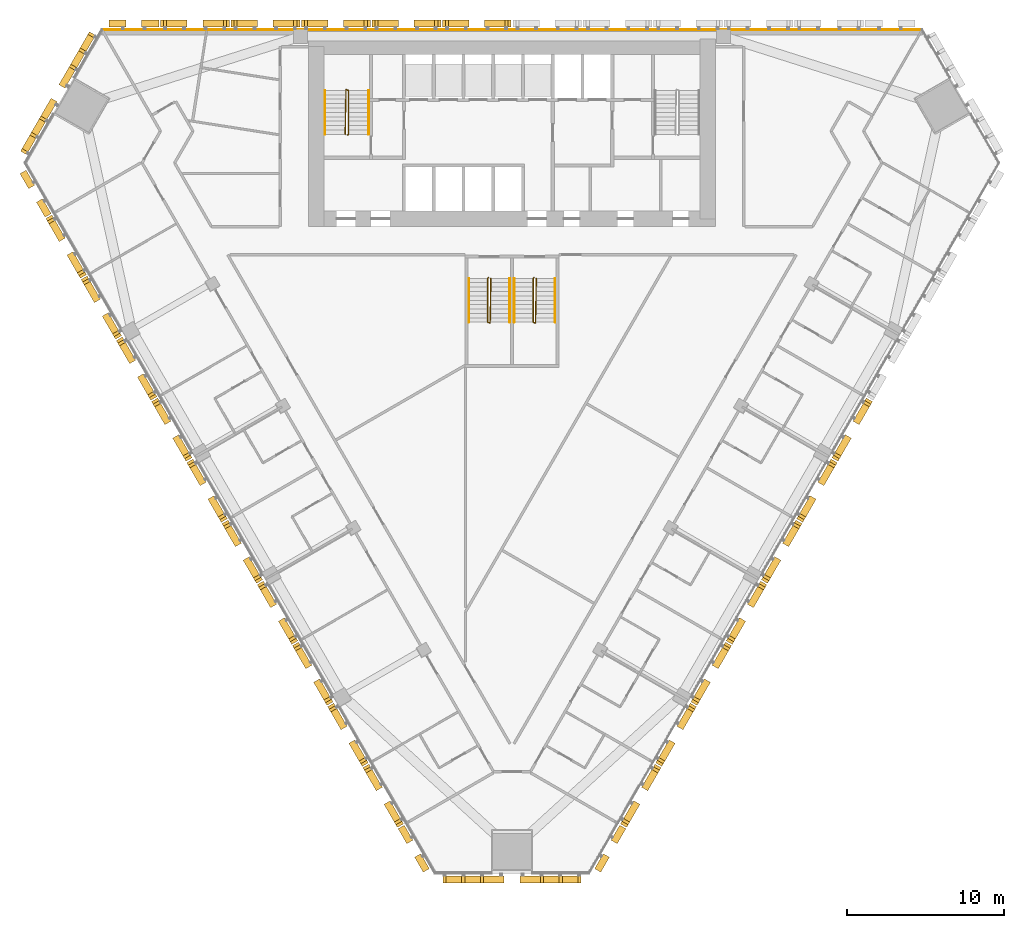
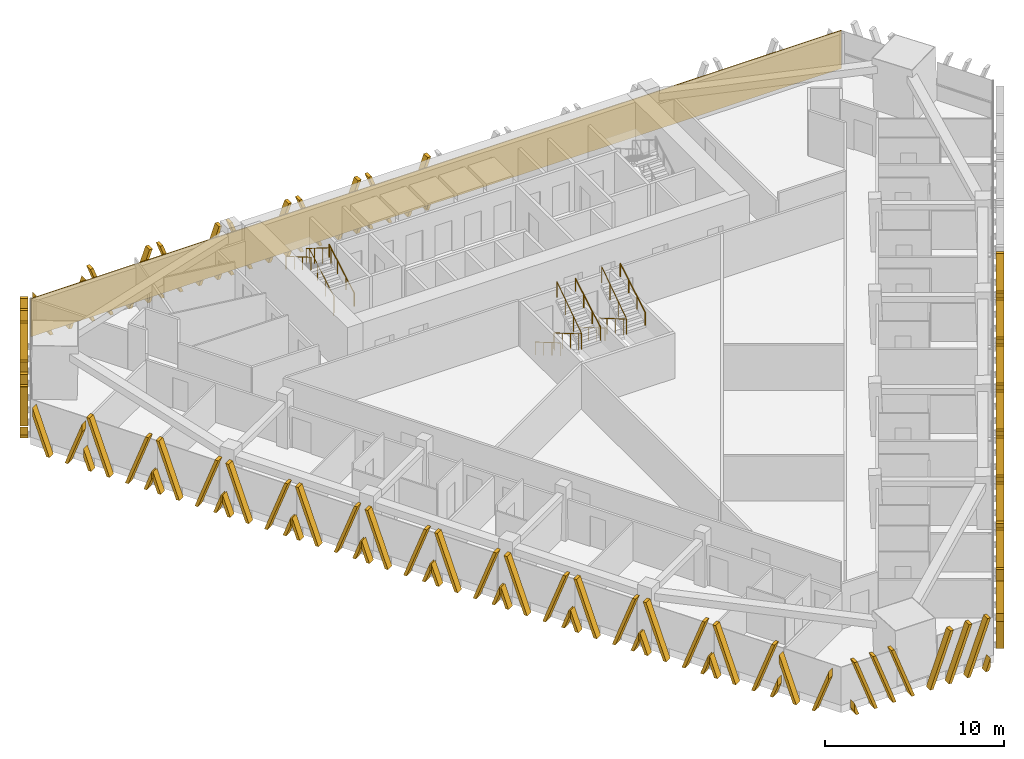
# One storey, part 16 of 18: 28 shading devices, 9 railings, 1 covering.
"""IFC4 building model written with IfcOpenShell, lengths in metres."""

from ifc_helpers import new_model, si_unit, direction, frame, frame_2d, origin, origin_2d, place, context, subcontext, project, spatial, polyline, rectangle, circle, outline, extrude, source, transform, mapped, material, layer, layer_set, type_object, element, save


model = new_model("IFC4")

# Units and contexts
model_context = context("Model", 3, precision=1e-05, world=origin(), true_north=direction((0.0, 1.0)))
body_context = subcontext(model_context, "Body", "Model", "MODEL_VIEW")
ifc_project = project(units=[si_unit("LENGTHUNIT", "METRE"), si_unit("AREAUNIT", "SQUARE_METRE"), si_unit("VOLUMEUNIT", "CUBIC_METRE"), si_unit("PLANEANGLEUNIT", "RADIAN"), si_unit("MASSUNIT", "GRAM", prefix="KILO")], contexts=[model_context])

# Site, building, storey
site_placement = place(None, origin())
site = spatial("IfcSite", under=ifc_project, at=site_placement, CompositionType="ELEMENT")
building_placement = place(site_placement, origin())
building = spatial("IfcBuilding", under=site, at=building_placement, Name="Altiplano Prism Tower", CompositionType="ELEMENT")
storey_placement = place(building_placement, frame((0.0, 0.0, 34.199951171875)))
storey = spatial("IfcBuildingStorey", under=building, at=storey_placement, Name="L07", CompositionType="ELEMENT", Elevation=34.199951171875)

# Railings
ifc_material_1 = material(Name="Steel S355", Category="steel")
railing_type_1 = type_object("IfcRailingType", Name="Stair guard 1100", PredefinedType="GUARDRAIL", material=ifc_material_1)
railing_1_placement = place(storey_placement, frame((74.5, 98.25, 0.0)))
element("IfcRailing", 1, at=railing_1_placement, inside=storey, type_object=railing_type_1, Name="L07 ST1 stair guard 1", PredefinedType="GUARDRAIL", context=body_context, shape_type="SweptSolid", body=[
    extrude(circle(Radius=0.02392578125, at=origin_2d()), frame((0.0, 0.0, 1.076171875), z_axis=(0.280808744504, 0.280808744504, 0.917765164963), x_axis=(-0.707106781187, 0.707106781187, 0.0)), (0.0, 0.0, 1.0), 0.17822265625),
    extrude(circle(Radius=0.02392578125, at=origin_2d()), frame((0.050048828125, 0.050048828125, 1.23974609375), z_axis=(0.0, 0.863360870873, 0.504586966384), x_axis=(-1.0, 0.0, 0.0)), (0.0, 0.0, 1.0), 3.2431640625),
    extrude(circle(Radius=0.02392578125, at=origin_2d()), frame((0.050048828125, 2.85009765625, 2.8759765625), z_axis=(-0.949145278916, 0.314838433982, 0.0), x_axis=(-0.314838433982, -0.949145278916, 0.0)), (0.0, 0.0, 1.0), 0.158203125),
    extrude(circle(Radius=0.02392578125, at=origin_2d()), frame((-0.10009765625, 2.89990234375, 2.8759765625), z_axis=(-0.01477401265, -0.845377694409, 0.533964682676), x_axis=(0.999847325713, -0.01747355902, 0.0)), (0.0, 0.0, 1.0), 3.37109375),
    extrude(circle(Radius=0.02099609375, at=origin_2d()), origin(), (0.0, 0.0, 1.0), 1.052001953125),
    extrude(circle(Radius=0.02099609375, at=origin_2d()), frame((0.050048828125, 0.050048828125, 0.16357421875)), (0.0, 0.0, 1.0), 1.052001953125),
    extrude(circle(Radius=0.02099609375, at=origin_2d()), frame((0.050048828125, 0.9833984375, 0.708984375)), (0.0, 0.0, 1.0), 1.052001953125),
    extrude(circle(Radius=0.02099609375, at=origin_2d()), frame((0.050048828125, 1.916748046875, 1.254638671875)), (0.0, 0.0, 1.0), 1.052001953125),
    extrude(circle(Radius=0.02099609375, at=origin_2d()), frame((0.050048828125, 2.85009765625, 1.800048828125)), (0.0, 0.0, 1.0), 1.052001953125),
    extrude(circle(Radius=0.02099609375, at=origin_2d()), frame((-0.10009765625, 2.89990234375, 1.800048828125)), (0.0, 0.0, 1.0), 1.052001953125),
    extrude(circle(Radius=0.02099609375, at=origin_2d()), frame((-0.11669921875, 1.949951171875, 2.400146484375)), (0.0, 0.0, 1.0), 1.052001953125),
    extrude(circle(Radius=0.02099609375, at=origin_2d()), frame((-0.13330078125, 1.0, 3.0)), (0.0, 0.0, 1.0), 1.052001953125),
    extrude(circle(Radius=0.02099609375, at=origin_2d()), frame((-0.14990234375, 0.050048828125, 3.60009765625)), (0.0, 0.0, 1.0), 1.052001953125),
])
railing_2_placement = place(storey_placement, frame((83.5, 89.14990234375, 0.0)))
element("IfcRailing", 2, at=railing_2_placement, inside=storey, type_object=railing_type_1, Name="L07 ST3A stair guard 1", PredefinedType="GUARDRAIL", context=body_context, shape_type="SweptSolid", body=[
    extrude(circle(Radius=0.02392578125, at=origin_2d()), frame((0.0, 0.0, 1.076171875), z_axis=(-0.280916556609, -0.279546231943, 0.91811752648), x_axis=(0.705375805398, -0.708833529934, 0.0)), (0.0, 0.0, 1.0), 0.17822265625),
    extrude(circle(Radius=0.02392578125, at=origin_2d()), frame((-0.050048828125, -0.0498046875, 1.23974609375), z_axis=(0.0, -0.863360870873, 0.504586966384), x_axis=(1.0, 0.0, 0.0)), (0.0, 0.0, 1.0), 3.2431640625),
    extrude(circle(Radius=0.02392578125, at=origin_2d()), frame((-0.050048828125, -2.849853515625, 2.8759765625), z_axis=(0.948683298051, -0.316227766017, 0.0), x_axis=(0.316227766017, 0.948683298051, 0.0)), (0.0, 0.0, 1.0), 0.158203125),
    extrude(circle(Radius=0.02392578125, at=origin_2d()), frame((0.10009765625, -2.89990234375, 2.8759765625), z_axis=(0.014773108175, 0.84539835705, 0.533931993021), x_axis=(-0.999847351862, 0.017472062685, 0.0)), (0.0, 0.0, 1.0), 3.371337890625),
    extrude(circle(Radius=0.02099609375, at=origin_2d()), origin(), (0.0, 0.0, 1.0), 1.052001953125),
    extrude(circle(Radius=0.02099609375, at=origin_2d()), frame((-0.050048828125, -0.0498046875, 0.16357421875)), (0.0, 0.0, 1.0), 1.052001953125),
    extrude(circle(Radius=0.02099609375, at=origin_2d()), frame((-0.050048828125, -0.983154296875, 0.708984375)), (0.0, 0.0, 1.0), 1.052001953125),
    extrude(circle(Radius=0.02099609375, at=origin_2d()), frame((-0.050048828125, -1.91650390625, 1.254638671875)), (0.0, 0.0, 1.0), 1.052001953125),
    extrude(circle(Radius=0.02099609375, at=origin_2d()), frame((-0.050048828125, -2.849853515625, 1.800048828125)), (0.0, 0.0, 1.0), 1.052001953125),
    extrude(circle(Radius=0.02099609375, at=origin_2d()), frame((0.10009765625, -2.89990234375, 1.800048828125)), (0.0, 0.0, 1.0), 1.052001953125),
    extrude(circle(Radius=0.02099609375, at=origin_2d()), frame((0.11669921875, -1.949951171875, 2.400146484375)), (0.0, 0.0, 1.0), 1.052001953125),
    extrude(circle(Radius=0.02099609375, at=origin_2d()), frame((0.13330078125, -0.999755859375, 3.0)), (0.0, 0.0, 1.0), 1.052001953125),
    extrude(circle(Radius=0.02099609375, at=origin_2d()), frame((0.14990234375, -0.0498046875, 3.60009765625)), (0.0, 0.0, 1.0), 1.052001953125),
])
railing_3_placement = place(storey_placement, frame((86.39990234375, 89.14990234375, 0.0)))
element("IfcRailing", 3, at=railing_3_placement, inside=storey, type_object=railing_type_1, Name="L07 ST3B stair guard 1", PredefinedType="GUARDRAIL", context=body_context, shape_type="SweptSolid", body=[
    extrude(circle(Radius=0.02392578125, at=origin_2d()), frame((0.0, 0.0, 1.076171875), z_axis=(-0.279653641804, -0.279653641804, 0.918470294159), x_axis=(0.707106781187, -0.707106781187, 0.0)), (0.0, 0.0, 1.0), 0.177978515625),
    extrude(circle(Radius=0.02392578125, at=origin_2d()), frame((-0.0498046875, -0.0498046875, 1.23974609375), z_axis=(0.0, -0.863360870873, 0.504586966384), x_axis=(1.0, 0.0, 0.0)), (0.0, 0.0, 1.0), 3.2431640625),
    extrude(circle(Radius=0.02392578125, at=origin_2d()), frame((-0.0498046875, -2.849853515625, 2.8759765625), z_axis=(0.948528701346, -0.316691178788, 0.0), x_axis=(0.316691178788, 0.948528701346, 0.0)), (0.0, 0.0, 1.0), 0.157958984375),
    extrude(circle(Radius=0.02392578125, at=origin_2d()), frame((0.10009765625, -2.89990234375, 2.8759765625), z_axis=(0.014845509451, 0.845397450405, 0.533931420407), x_axis=(-0.999845851991, 0.017557683712, 0.0)), (0.0, 0.0, 1.0), 3.371337890625),
    extrude(circle(Radius=0.02099609375, at=origin_2d()), origin(), (0.0, 0.0, 1.0), 1.052001953125),
    extrude(circle(Radius=0.02099609375, at=origin_2d()), frame((-0.0498046875, -0.0498046875, 0.16357421875)), (0.0, 0.0, 1.0), 1.052001953125),
    extrude(circle(Radius=0.02099609375, at=origin_2d()), frame((-0.0498046875, -0.983154296875, 0.708984375)), (0.0, 0.0, 1.0), 1.052001953125),
    extrude(circle(Radius=0.02099609375, at=origin_2d()), frame((-0.0498046875, -1.91650390625, 1.254638671875)), (0.0, 0.0, 1.0), 1.052001953125),
    extrude(circle(Radius=0.02099609375, at=origin_2d()), frame((-0.0498046875, -2.849853515625, 1.800048828125)), (0.0, 0.0, 1.0), 1.052001953125),
    extrude(circle(Radius=0.02099609375, at=origin_2d()), frame((0.10009765625, -2.89990234375, 1.800048828125)), (0.0, 0.0, 1.0), 1.052001953125),
    extrude(circle(Radius=0.02099609375, at=origin_2d()), frame((0.11669921875, -1.949951171875, 2.400146484375)), (0.0, 0.0, 1.0), 1.052001953125),
    extrude(circle(Radius=0.02099609375, at=origin_2d()), frame((0.133544921875, -0.999755859375, 3.0)), (0.0, 0.0, 1.0), 1.052001953125),
    extrude(circle(Radius=0.02099609375, at=origin_2d()), frame((0.150146484375, -0.0498046875, 3.60009765625)), (0.0, 0.0, 1.0), 1.052001953125),
])
railing_type_2 = type_object("IfcRailingType", Name="Stair handrail 900", PredefinedType="HANDRAIL", material=ifc_material_1)
railing_4_placement = place(storey_placement, frame((75.85009765625, 98.300048828125, 0.16357421875)))
element("IfcRailing", 4, at=railing_4_placement, inside=storey, type_object=railing_type_2, Name="L07 ST1 stair handrail 1", PredefinedType="HANDRAIL", context=body_context, shape_type="SweptSolid", body=[
    extrude(circle(Radius=0.02392578125, at=origin_2d()), frame((0.0, 0.0, 0.8759765625), z_axis=(0.0, 0.863360870873, 0.504586966384), x_axis=(-1.0, 0.0, 0.0)), (0.0, 0.0, 1.0), 3.2431640625),
    extrude(circle(Radius=0.02099609375, at=origin_2d()), origin(), (0.0, 0.0, 1.0), 0.851806640625),
    extrude(circle(Radius=0.02099609375, at=origin_2d()), frame((0.0, 0.933349609375, 0.54541015625)), (0.0, 0.0, 1.0), 0.851806640625),
    extrude(circle(Radius=0.02099609375, at=origin_2d()), frame((0.0, 1.86669921875, 1.091064453125)), (0.0, 0.0, 1.0), 0.851806640625),
    extrude(circle(Radius=0.02099609375, at=origin_2d()), frame((0.0, 2.800048828125, 1.636474609375)), (0.0, 0.0, 1.0), 0.851806640625),
])
for number, where, name in (
    (5, (73.050048828125, 101.10009765625, 1.963623046875), "L07 ST1 stair handrail 2"),
    (6, (82.25, 89.10009765625, 0.16357421875), "L07 ST3A stair handrail 1"),
):
    element("IfcRailing", number, at=place(storey_placement, frame(where)), inside=storey, type_object=railing_type_2, Name=name, PredefinedType="HANDRAIL", context=body_context, shape_type="SweptSolid", body=[
        extrude(circle(Radius=0.02392578125, at=origin_2d()), frame((0.0, 0.0, 0.8759765625), z_axis=(0.0, -0.863360870873, 0.504586966384), x_axis=(1.0, 0.0, 0.0)), (0.0, 0.0, 1.0), 3.2431640625),
        extrude(circle(Radius=0.02099609375, at=origin_2d()), origin(), (0.0, 0.0, 1.0), 0.851806640625),
        extrude(circle(Radius=0.02099609375, at=origin_2d()), frame((0.0, -0.933349609375, 0.54541015625)), (0.0, 0.0, 1.0), 0.851806640625),
        extrude(circle(Radius=0.02099609375, at=origin_2d()), frame((0.0, -1.86669921875, 1.091064453125)), (0.0, 0.0, 1.0), 0.851806640625),
        extrude(circle(Radius=0.02099609375, at=origin_2d()), frame((0.0, -2.800048828125, 1.636474609375)), (0.0, 0.0, 1.0), 0.851806640625),
    ])
railing_5_placement = place(storey_placement, frame((84.85009765625, 86.300048828125, 1.963623046875)))
element("IfcRailing", 7, at=railing_5_placement, inside=storey, type_object=railing_type_2, Name="L07 ST3A stair handrail 2", PredefinedType="HANDRAIL", context=body_context, shape_type="SweptSolid", body=[
    extrude(circle(Radius=0.02392578125, at=origin_2d()), frame((0.0, 0.0, 0.8759765625), z_axis=(0.0, 0.863360870873, 0.504586966384), x_axis=(-1.0, 0.0, 0.0)), (0.0, 0.0, 1.0), 3.2431640625),
    extrude(circle(Radius=0.02099609375, at=origin_2d()), origin(), (0.0, 0.0, 1.0), 0.851806640625),
    extrude(circle(Radius=0.02099609375, at=origin_2d()), frame((0.0, 0.933349609375, 0.54541015625)), (0.0, 0.0, 1.0), 0.851806640625),
    extrude(circle(Radius=0.02099609375, at=origin_2d()), frame((0.0, 1.86669921875, 1.091064453125)), (0.0, 0.0, 1.0), 0.851806640625),
    extrude(circle(Radius=0.02099609375, at=origin_2d()), frame((0.0, 2.800048828125, 1.636474609375)), (0.0, 0.0, 1.0), 0.851806640625),
])
railing_6_placement = place(storey_placement, frame((85.14990234375, 89.10009765625, 0.16357421875)))
element("IfcRailing", 8, at=railing_6_placement, inside=storey, type_object=railing_type_2, Name="L07 ST3B stair handrail 1", PredefinedType="HANDRAIL", context=body_context, shape_type="SweptSolid", body=[
    extrude(circle(Radius=0.02392578125, at=origin_2d()), frame((0.0, 0.0, 0.8759765625), z_axis=(0.0, -0.863360870873, 0.504586966384), x_axis=(1.0, 0.0, 0.0)), (0.0, 0.0, 1.0), 3.2431640625),
    extrude(circle(Radius=0.02099609375, at=origin_2d()), origin(), (0.0, 0.0, 1.0), 0.851806640625),
    extrude(circle(Radius=0.02099609375, at=origin_2d()), frame((0.0, -0.933349609375, 0.54541015625)), (0.0, 0.0, 1.0), 0.851806640625),
    extrude(circle(Radius=0.02099609375, at=origin_2d()), frame((0.0, -1.86669921875, 1.091064453125)), (0.0, 0.0, 1.0), 0.851806640625),
    extrude(circle(Radius=0.02099609375, at=origin_2d()), frame((0.0, -2.800048828125, 1.636474609375)), (0.0, 0.0, 1.0), 0.851806640625),
])
railing_7_placement = place(storey_placement, frame((87.75, 86.300048828125, 1.963623046875)))
element("IfcRailing", 9, at=railing_7_placement, inside=storey, type_object=railing_type_2, Name="L07 ST3B stair handrail 2", PredefinedType="HANDRAIL", context=body_context, shape_type="SweptSolid", body=[
    extrude(circle(Radius=0.02392578125, at=origin_2d()), frame((0.0, 0.0, 0.8759765625), z_axis=(0.0, 0.863360870873, 0.504586966384), x_axis=(-1.0, 0.0, 0.0)), (0.0, 0.0, 1.0), 3.2431640625),
    extrude(circle(Radius=0.02099609375, at=origin_2d()), origin(), (0.0, 0.0, 1.0), 0.851806640625),
    extrude(circle(Radius=0.02099609375, at=origin_2d()), frame((0.0, 0.933349609375, 0.54541015625)), (0.0, 0.0, 1.0), 0.851806640625),
    extrude(circle(Radius=0.02099609375, at=origin_2d()), frame((0.0, 1.86669921875, 1.091064453125)), (0.0, 0.0, 1.0), 0.851806640625),
    extrude(circle(Radius=0.02099609375, at=origin_2d()), frame((0.0, 2.800048828125, 1.636474609375)), (0.0, 0.0, 1.0), 0.851806640625),
])

# Covering
ifc_material_2 = material(Name="Warm limestone cast stone", Category="masonry")
ifc_layer = layer(ifc_material_2, 0.06005859375)
ifc_layer_set = layer_set([ifc_layer], Name="Warm limestone cast stone")
covering_type = type_object("IfcCoveringType", Name="Stone cladding 60", PredefinedType="CLADDING", material=ifc_layer_set)
covering_placement = place(storey_placement, frame((58.79296875, 104.969970703125, 0.0), z_axis=(0.0, 0.0, 1.0), x_axis=(1.0, 0.0, 0.0)))
element("IfcCovering", 10, at=covering_placement, inside=storey, type_object=covering_type, Name="Stone cladding north face L07", PredefinedType="CLADDING", context=body_context, shape_type="SweptSolid", body=[
    extrude(rectangle(XDim=52.4140625, YDim=0.06005859375, at=frame_2d((26.20703125, 0.0))), origin(), (0.0, 0.0, 1.0), 2.60009765625),
])

# Shading devices
shading_device_type_1 = type_object("IfcShadingDeviceType", Name="Stone fin panel, narrow closing bay", PredefinedType="USERDEFINED", material=ifc_material_2)
shared_shape_1 = source(origin(), body_context, "Body", "SweptSolid", [
    extrude(outline(polyline([(-1.60009765625, 3.022216796875), (-1.60009765625, 2.47265625), (-0.699951171875, 0.0), (-0.5, 0.0), (-1.60009765625, 3.022216796875)])), frame((0.0, -0.14990234375, 0.0), z_axis=(0.0, -1.0, 0.0), x_axis=(1.0, 0.0, 0.0)), (0.0, 0.0, 1.0), 0.4501953125),
    extrude(outline(polyline([(1.60009765625, 2.47265625), (1.60009765625, 3.022216796875), (0.5, 0.0), (0.699951171875, 0.0), (1.60009765625, 2.47265625)])), frame((0.0, -0.14990234375, 0.0), z_axis=(0.0, -1.0, 0.0), x_axis=(1.0, 0.0, 0.0)), (0.0, 0.0, 1.0), 0.4501953125),
])
shading_device_1_placement = place(storey_placement, origin())
element("IfcShadingDevice", 11, at=shading_device_1_placement, inside=storey, type_object=shading_device_type_1, Name="Fin L07 north face 12", ObjectType="FIN", PredefinedType="USERDEFINED", context=body_context, shape_type="MappedRepresentation", body=[
    mapped(shared_shape_1, transform((60.846435546875, 105.0, -0.5), x_axis=(-1.0, 0.0, 0.0), y_axis=(0.0, -1.0, 0.0), z_axis=(0.0, 0.0, 1.0))),
])
shading_device_2_placement = place(storey_placement, origin())
element("IfcShadingDevice", 12, at=shading_device_2_placement, inside=storey, type_object=shading_device_type_1, Name="Fin L07 south-west face 1", ObjectType="FIN", PredefinedType="USERDEFINED", context=body_context, shape_type="MappedRepresentation", body=[
    mapped(shared_shape_1, transform((54.896728515625, 94.694580078125, -0.5), x_axis=(0.499999989059, -0.866025410101, 0.0), y_axis=(0.866025410101, 0.499999989059, 0.0), z_axis=(0.0, 0.0, 1.0))),
])
shading_device_3_placement = place(storey_placement, origin())
element("IfcShadingDevice", 13, at=shading_device_3_placement, inside=storey, type_object=shading_device_type_1, Name="Fin L07 south-west face 12", ObjectType="FIN", PredefinedType="USERDEFINED", context=body_context, shape_type="MappedRepresentation", body=[
    mapped(shared_shape_1, transform((79.05029296875, 52.859619140625, -0.5), x_axis=(0.499999989059, -0.866025410101, 0.0), y_axis=(0.866025410101, 0.499999989059, 0.0), z_axis=(0.0, 0.0, 1.0))),
])
shading_device_4_placement = place(storey_placement, origin())
element("IfcShadingDevice", 14, at=shading_device_4_placement, inside=storey, type_object=shading_device_type_1, Name="Fin L07 south-east face 1", ObjectType="FIN", PredefinedType="USERDEFINED", context=body_context, shape_type="MappedRepresentation", body=[
    mapped(shared_shape_1, transform((90.94970703125, 52.859619140625, -0.5), x_axis=(0.499999989059, 0.866025410101, 0.0), y_axis=(-0.866025410101, 0.499999989059, 0.0), z_axis=(0.0, 0.0, 1.0))),
])
shading_device_type_2 = type_object("IfcShadingDeviceType", Name="Stone fin panel, standard unit", PredefinedType="USERDEFINED", material=ifc_material_2)
shared_shape_2 = source(origin(), body_context, "Body", "SweptSolid", [
    extrude(outline(polyline([(-2.199951171875, 1.373779296875), (-2.199951171875, 0.82421875), (-1.89990234375, 0.0), (-1.699951171875, 0.0), (-2.199951171875, 1.373779296875)])), frame((0.0, -0.14990234375, 0.0), z_axis=(0.0, -1.0, 0.0), x_axis=(1.0, 0.0, 0.0)), (0.0, 0.0, 1.0), 0.4501953125),
    extrude(outline(polyline([(-2.01025390625, 3.60009765625), (-0.699951171875, 0.0), (-0.5, 0.0), (-1.810302734375, 3.60009765625), (-2.01025390625, 3.60009765625)])), frame((0.0, -0.14990234375, 0.0), z_axis=(0.0, -1.0, 0.0), x_axis=(1.0, 0.0, 0.0)), (0.0, 0.0, 1.0), 0.4501953125),
    extrude(outline(polyline([(1.810302734375, 3.60009765625), (0.5, 0.0), (0.699951171875, 0.0), (2.01025390625, 3.60009765625), (1.810302734375, 3.60009765625)])), frame((0.0, -0.14990234375, 0.0), z_axis=(0.0, -1.0, 0.0), x_axis=(1.0, 0.0, 0.0)), (0.0, 0.0, 1.0), 0.4501953125),
    extrude(outline(polyline([(2.199951171875, 0.82421875), (2.199951171875, 1.373779296875), (1.699951171875, 0.0), (1.89990234375, 0.0), (2.199951171875, 0.82421875)])), frame((0.0, -0.14990234375, 0.0), z_axis=(0.0, -1.0, 0.0), x_axis=(1.0, 0.0, 0.0)), (0.0, 0.0, 1.0), 0.4501953125),
])
shading_device_5_placement = place(storey_placement, origin())
element("IfcShadingDevice", 15, at=shading_device_5_placement, inside=storey, type_object=shading_device_type_2, Name="Fin L07 north face 7", ObjectType="FIN", PredefinedType="USERDEFINED", context=body_context, shape_type="MappedRepresentation", body=[
    mapped(shared_shape_2, transform((82.75, 105.0, -0.5), x_axis=(-1.0, 0.0, 0.0), y_axis=(0.0, -1.0, 0.0), z_axis=(0.0, 0.0, 1.0))),
])
shading_device_6_placement = place(storey_placement, origin())
element("IfcShadingDevice", 16, at=shading_device_6_placement, inside=storey, type_object=shading_device_type_2, Name="Fin L07 north face 8", ObjectType="FIN", PredefinedType="USERDEFINED", context=body_context, shape_type="MappedRepresentation", body=[
    mapped(shared_shape_2, transform((78.25, 105.0, -0.5), x_axis=(-1.0, 0.0, 0.0), y_axis=(0.0, -1.0, 0.0), z_axis=(0.0, 0.0, 1.0))),
])
shading_device_7_placement = place(storey_placement, origin())
element("IfcShadingDevice", 17, at=shading_device_7_placement, inside=storey, type_object=shading_device_type_2, Name="Fin L07 north face 9", ObjectType="FIN", PredefinedType="USERDEFINED", context=body_context, shape_type="MappedRepresentation", body=[
    mapped(shared_shape_2, transform((73.75, 105.0, -0.5), x_axis=(-1.0, 0.0, 0.0), y_axis=(0.0, -1.0, 0.0), z_axis=(0.0, 0.0, 1.0))),
])
shading_device_8_placement = place(storey_placement, origin())
element("IfcShadingDevice", 18, at=shading_device_8_placement, inside=storey, type_object=shading_device_type_2, Name="Fin L07 north face 10", ObjectType="FIN", PredefinedType="USERDEFINED", context=body_context, shape_type="MappedRepresentation", body=[
    mapped(shared_shape_2, transform((69.25, 105.0, -0.5), x_axis=(-1.0, 0.0, 0.0), y_axis=(0.0, -1.0, 0.0), z_axis=(0.0, 0.0, 1.0))),
])
shading_device_9_placement = place(storey_placement, origin())
element("IfcShadingDevice", 19, at=shading_device_9_placement, inside=storey, type_object=shading_device_type_2, Name="Fin L07 north face 11", ObjectType="FIN", PredefinedType="USERDEFINED", context=body_context, shape_type="MappedRepresentation", body=[
    mapped(shared_shape_2, transform((64.75, 105.0, -0.5), x_axis=(-1.0, 0.0, 0.0), y_axis=(0.0, -1.0, 0.0), z_axis=(0.0, 0.0, 1.0))),
])
shading_device_10_placement = place(storey_placement, origin())
element("IfcShadingDevice", 20, at=shading_device_10_placement, inside=storey, type_object=shading_device_type_2, Name="Fin L07 south-west face 2", ObjectType="FIN", PredefinedType="USERDEFINED", context=body_context, shape_type="MappedRepresentation", body=[
    mapped(shared_shape_2, transform((56.848388671875, 91.314208984375, -0.5), x_axis=(0.499999989059, -0.866025410101, 0.0), y_axis=(0.866025410101, 0.499999989059, 0.0), z_axis=(0.0, 0.0, 1.0))),
])
shading_device_11_placement = place(storey_placement, origin())
element("IfcShadingDevice", 21, at=shading_device_11_placement, inside=storey, type_object=shading_device_type_2, Name="Fin L07 south-west face 3", ObjectType="FIN", PredefinedType="USERDEFINED", context=body_context, shape_type="MappedRepresentation", body=[
    mapped(shared_shape_2, transform((59.098388671875, 87.4169921875, -0.5), x_axis=(0.499999989059, -0.866025410101, 0.0), y_axis=(0.866025410101, 0.499999989059, 0.0), z_axis=(0.0, 0.0, 1.0))),
])
shading_device_12_placement = place(storey_placement, origin())
element("IfcShadingDevice", 22, at=shading_device_12_placement, inside=storey, type_object=shading_device_type_2, Name="Fin L07 south-west face 4", ObjectType="FIN", PredefinedType="USERDEFINED", context=body_context, shape_type="MappedRepresentation", body=[
    mapped(shared_shape_2, transform((61.348388671875, 83.519775390625, -0.5), x_axis=(0.499999989059, -0.866025410101, 0.0), y_axis=(0.866025410101, 0.499999989059, 0.0), z_axis=(0.0, 0.0, 1.0))),
])
shading_device_13_placement = place(storey_placement, origin())
element("IfcShadingDevice", 23, at=shading_device_13_placement, inside=storey, type_object=shading_device_type_2, Name="Fin L07 south-west face 5", ObjectType="FIN", PredefinedType="USERDEFINED", context=body_context, shape_type="MappedRepresentation", body=[
    mapped(shared_shape_2, transform((63.598388671875, 79.622802734375, -0.5), x_axis=(0.499999989059, -0.866025410101, 0.0), y_axis=(0.866025410101, 0.499999989059, 0.0), z_axis=(0.0, 0.0, 1.0))),
])
shading_device_14_placement = place(storey_placement, origin())
element("IfcShadingDevice", 24, at=shading_device_14_placement, inside=storey, type_object=shading_device_type_2, Name="Fin L07 south-west face 6", ObjectType="FIN", PredefinedType="USERDEFINED", context=body_context, shape_type="MappedRepresentation", body=[
    mapped(shared_shape_2, transform((65.848388671875, 75.7255859375, -0.5), x_axis=(0.499999989059, -0.866025410101, 0.0), y_axis=(0.866025410101, 0.499999989059, 0.0), z_axis=(0.0, 0.0, 1.0))),
])
shading_device_15_placement = place(storey_placement, origin())
element("IfcShadingDevice", 25, at=shading_device_15_placement, inside=storey, type_object=shading_device_type_2, Name="Fin L07 south-west face 7", ObjectType="FIN", PredefinedType="USERDEFINED", context=body_context, shape_type="MappedRepresentation", body=[
    mapped(shared_shape_2, transform((68.098388671875, 71.82861328125, -0.5), x_axis=(0.499999989059, -0.866025410101, 0.0), y_axis=(0.866025410101, 0.499999989059, 0.0), z_axis=(0.0, 0.0, 1.0))),
])
shading_device_16_placement = place(storey_placement, origin())
element("IfcShadingDevice", 26, at=shading_device_16_placement, inside=storey, type_object=shading_device_type_2, Name="Fin L07 south-west face 8", ObjectType="FIN", PredefinedType="USERDEFINED", context=body_context, shape_type="MappedRepresentation", body=[
    mapped(shared_shape_2, transform((70.348388671875, 67.931396484375, -0.5), x_axis=(0.499999989059, -0.866025410101, 0.0), y_axis=(0.866025410101, 0.499999989059, 0.0), z_axis=(0.0, 0.0, 1.0))),
])
shading_device_17_placement = place(storey_placement, origin())
element("IfcShadingDevice", 27, at=shading_device_17_placement, inside=storey, type_object=shading_device_type_2, Name="Fin L07 south-west face 9", ObjectType="FIN", PredefinedType="USERDEFINED", context=body_context, shape_type="MappedRepresentation", body=[
    mapped(shared_shape_2, transform((72.598388671875, 64.034423828125, -0.5), x_axis=(0.499999989059, -0.866025410101, 0.0), y_axis=(0.866025410101, 0.499999989059, 0.0), z_axis=(0.0, 0.0, 1.0))),
])
shading_device_18_placement = place(storey_placement, origin())
element("IfcShadingDevice", 28, at=shading_device_18_placement, inside=storey, type_object=shading_device_type_2, Name="Fin L07 south-west face 10", ObjectType="FIN", PredefinedType="USERDEFINED", context=body_context, shape_type="MappedRepresentation", body=[
    mapped(shared_shape_2, transform((74.848388671875, 60.13720703125, -0.5), x_axis=(0.499999989059, -0.866025410101, 0.0), y_axis=(0.866025410101, 0.499999989059, 0.0), z_axis=(0.0, 0.0, 1.0))),
])
shading_device_19_placement = place(storey_placement, origin())
element("IfcShadingDevice", 29, at=shading_device_19_placement, inside=storey, type_object=shading_device_type_2, Name="Fin L07 south-west face 11", ObjectType="FIN", PredefinedType="USERDEFINED", context=body_context, shape_type="MappedRepresentation", body=[
    mapped(shared_shape_2, transform((77.098388671875, 56.239990234375, -0.5), x_axis=(0.499999989059, -0.866025410101, 0.0), y_axis=(0.866025410101, 0.499999989059, 0.0), z_axis=(0.0, 0.0, 1.0))),
])
shading_device_20_placement = place(storey_placement, origin())
element("IfcShadingDevice", 30, at=shading_device_20_placement, inside=storey, type_object=shading_device_type_2, Name="Fin L07 south-east face 2", ObjectType="FIN", PredefinedType="USERDEFINED", context=body_context, shape_type="MappedRepresentation", body=[
    mapped(shared_shape_2, transform((92.901611328125, 56.239990234375, -0.5), x_axis=(0.499999989059, 0.866025410101, 0.0), y_axis=(-0.866025410101, 0.499999989059, 0.0), z_axis=(0.0, 0.0, 1.0))),
])
shading_device_21_placement = place(storey_placement, origin())
element("IfcShadingDevice", 31, at=shading_device_21_placement, inside=storey, type_object=shading_device_type_2, Name="Fin L07 south-east face 3", ObjectType="FIN", PredefinedType="USERDEFINED", context=body_context, shape_type="MappedRepresentation", body=[
    mapped(shared_shape_2, transform((95.151611328125, 60.13720703125, -0.5), x_axis=(0.499999989059, 0.866025410101, 0.0), y_axis=(-0.866025410101, 0.499999989059, 0.0), z_axis=(0.0, 0.0, 1.0))),
])
shading_device_22_placement = place(storey_placement, origin())
element("IfcShadingDevice", 32, at=shading_device_22_placement, inside=storey, type_object=shading_device_type_2, Name="Fin L07 south-east face 4", ObjectType="FIN", PredefinedType="USERDEFINED", context=body_context, shape_type="MappedRepresentation", body=[
    mapped(shared_shape_2, transform((97.401611328125, 64.034423828125, -0.5), x_axis=(0.499999989059, 0.866025410101, 0.0), y_axis=(-0.866025410101, 0.499999989059, 0.0), z_axis=(0.0, 0.0, 1.0))),
])
shading_device_23_placement = place(storey_placement, origin())
element("IfcShadingDevice", 33, at=shading_device_23_placement, inside=storey, type_object=shading_device_type_2, Name="Fin L07 south-east face 5", ObjectType="FIN", PredefinedType="USERDEFINED", context=body_context, shape_type="MappedRepresentation", body=[
    mapped(shared_shape_2, transform((99.651611328125, 67.931396484375, -0.5), x_axis=(0.499999989059, 0.866025410101, 0.0), y_axis=(-0.866025410101, 0.499999989059, 0.0), z_axis=(0.0, 0.0, 1.0))),
])
shading_device_24_placement = place(storey_placement, origin())
element("IfcShadingDevice", 34, at=shading_device_24_placement, inside=storey, type_object=shading_device_type_2, Name="Fin L07 south-east face 6", ObjectType="FIN", PredefinedType="USERDEFINED", context=body_context, shape_type="MappedRepresentation", body=[
    mapped(shared_shape_2, transform((101.901611328125, 71.82861328125, -0.5), x_axis=(0.499999989059, 0.866025410101, 0.0), y_axis=(-0.866025410101, 0.499999989059, 0.0), z_axis=(0.0, 0.0, 1.0))),
])
shading_device_25_placement = place(storey_placement, origin())
element("IfcShadingDevice", 35, at=shading_device_25_placement, inside=storey, type_object=shading_device_type_2, Name="Fin L07 south-east face 7", ObjectType="FIN", PredefinedType="USERDEFINED", context=body_context, shape_type="MappedRepresentation", body=[
    mapped(shared_shape_2, transform((104.151611328125, 75.7255859375, -0.5), x_axis=(0.499999989059, 0.866025410101, 0.0), y_axis=(-0.866025410101, 0.499999989059, 0.0), z_axis=(0.0, 0.0, 1.0))),
])
shading_device_26_placement = place(storey_placement, origin())
element("IfcShadingDevice", 36, at=shading_device_26_placement, inside=storey, type_object=shading_device_type_2, Name="Fin L07 south-east face 8", ObjectType="FIN", PredefinedType="USERDEFINED", context=body_context, shape_type="MappedRepresentation", body=[
    mapped(shared_shape_2, transform((106.401611328125, 79.622802734375, -0.5), x_axis=(0.499999989059, 0.866025410101, 0.0), y_axis=(-0.866025410101, 0.499999989059, 0.0), z_axis=(0.0, 0.0, 1.0))),
])
shading_device_type_3 = type_object("IfcShadingDeviceType", Name="Stone fin panel, chamfer unit", PredefinedType="USERDEFINED", material=ifc_material_2)
shared_shape_3 = source(origin(), body_context, "Body", "SweptSolid", [
    extrude(outline(polyline([(-4.39990234375, 3.60009765625), (-4.39990234375, 3.57177734375), (-3.10009765625, 0.0), (-2.89990234375, 0.0), (-4.210205078125, 3.60009765625), (-4.39990234375, 3.60009765625)])), frame((0.0, -0.14990234375, 0.0), z_axis=(0.0, -1.0, 0.0), x_axis=(1.0, 0.0, 0.0)), (0.0, 0.0, 1.0), 0.4501953125),
    extrude(outline(polyline([(-4.39990234375, 0.82421875), (-4.39990234375, 0.274658203125), (-4.300048828125, 0.0), (-4.10009765625, 0.0), (-4.39990234375, 0.82421875)])), frame((0.0, -0.14990234375, 0.0), z_axis=(0.0, -1.0, 0.0), x_axis=(1.0, 0.0, 0.0)), (0.0, 0.0, 1.0), 0.4501953125),
    extrude(outline(polyline([(-3.210205078125, 3.60009765625), (-1.89990234375, 0.0), (-1.699951171875, 0.0), (-3.01025390625, 3.60009765625), (-3.210205078125, 3.60009765625)])), frame((0.0, -0.14990234375, 0.0), z_axis=(0.0, -1.0, 0.0), x_axis=(1.0, 0.0, 0.0)), (0.0, 0.0, 1.0), 0.4501953125),
    extrude(outline(polyline([(-2.01025390625, 3.60009765625), (-0.699951171875, 0.0), (-0.5, 0.0), (-1.810302734375, 3.60009765625), (-2.01025390625, 3.60009765625)])), frame((0.0, -0.14990234375, 0.0), z_axis=(0.0, -1.0, 0.0), x_axis=(1.0, 0.0, 0.0)), (0.0, 0.0, 1.0), 0.4501953125),
    extrude(outline(polyline([(1.810302734375, 3.60009765625), (0.5, 0.0), (0.699951171875, 0.0), (2.01025390625, 3.60009765625), (1.810302734375, 3.60009765625)])), frame((0.0, -0.14990234375, 0.0), z_axis=(0.0, -1.0, 0.0), x_axis=(1.0, 0.0, 0.0)), (0.0, 0.0, 1.0), 0.4501953125),
    extrude(outline(polyline([(3.01025390625, 3.60009765625), (1.699951171875, 0.0), (1.89990234375, 0.0), (3.210205078125, 3.60009765625), (3.01025390625, 3.60009765625)])), frame((0.0, -0.14990234375, 0.0), z_axis=(0.0, -1.0, 0.0), x_axis=(1.0, 0.0, 0.0)), (0.0, 0.0, 1.0), 0.4501953125),
    extrude(outline(polyline([(4.210205078125, 3.60009765625), (2.89990234375, 0.0), (3.10009765625, 0.0), (4.39990234375, 3.57177734375), (4.39990234375, 3.60009765625), (4.210205078125, 3.60009765625)])), frame((0.0, -0.14990234375, 0.0), z_axis=(0.0, -1.0, 0.0), x_axis=(1.0, 0.0, 0.0)), (0.0, 0.0, 1.0), 0.4501953125),
    extrude(outline(polyline([(4.39990234375, 0.274658203125), (4.39990234375, 0.82421875), (4.10009765625, 0.0), (4.300048828125, 0.0), (4.39990234375, 0.274658203125)])), frame((0.0, -0.14990234375, 0.0), z_axis=(0.0, -1.0, 0.0), x_axis=(1.0, 0.0, 0.0)), (0.0, 0.0, 1.0), 0.4501953125),
])
shading_device_27_placement = place(storey_placement, origin())
element("IfcShadingDevice", 37, at=shading_device_27_placement, inside=storey, type_object=shading_device_type_3, Name="Fin L07 north-west chamfer 1", ObjectType="FIN", PredefinedType="USERDEFINED", context=body_context, shape_type="MappedRepresentation", body=[
    mapped(shared_shape_3, transform((56.33154296875, 100.736572265625, -0.5), x_axis=(-0.49999992772, -0.866025445515, 0.0), y_axis=(0.866025445515, -0.49999992772, 0.0), z_axis=(0.0, 0.0, 1.0))),
])
shading_device_28_placement = place(storey_placement, origin())
element("IfcShadingDevice", 38, at=shading_device_28_placement, inside=storey, type_object=shading_device_type_3, Name="Fin L07 south chamfer 1", ObjectType="FIN", PredefinedType="USERDEFINED", context=body_context, shape_type="MappedRepresentation", body=[
    mapped(shared_shape_3, transform((85.0, 51.0810546875, -0.5), x_axis=(1.0, 0.0, 0.0), y_axis=(0.0, 1.0, 0.0), z_axis=(0.0, 0.0, 1.0))),
])

save(model, "model.ifc")
